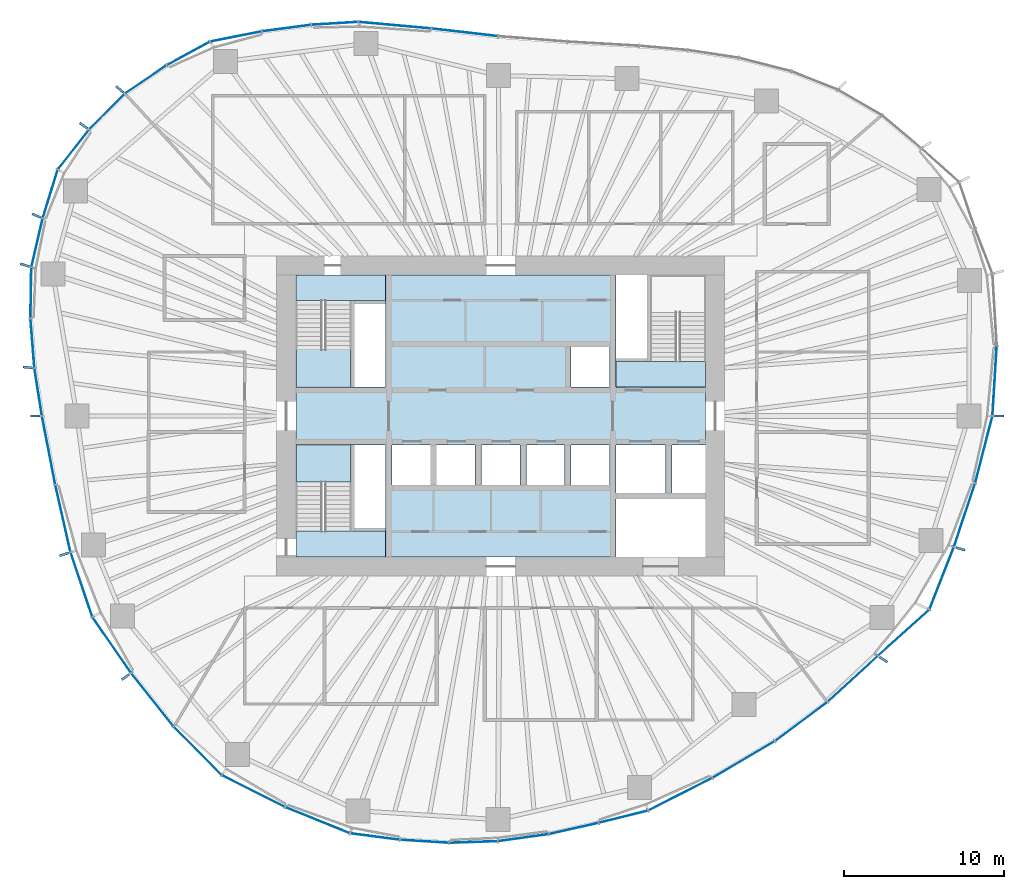
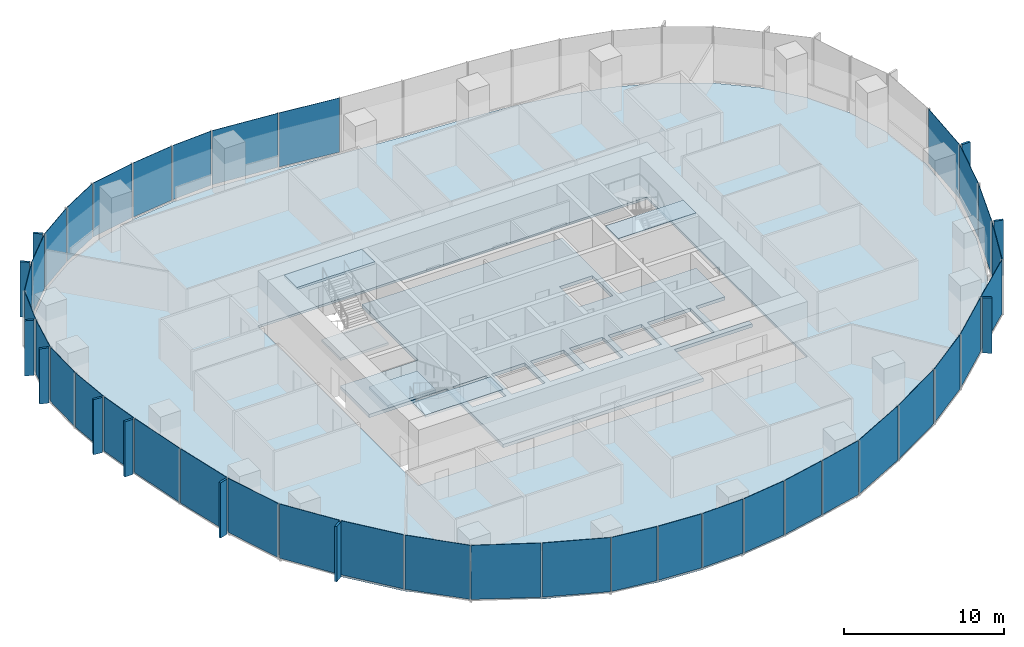
# One storey, part 7 of 18: 48 plates, 7 slabs, 19 elements without a shape of their own.
"""IFC4 building model written with IfcOpenShell, lengths in metres."""

from ifc_helpers import new_model, si_unit, direction, frame, origin, origin_2d, place, context, subcontext, project, spatial, polyline, rectangle, outline, extrude, material, layer, layer_set, type_object, element, aggregate, save


model = new_model("IFC4")

# Units and contexts
model_context = context("Model", 3, precision=1e-05, world=origin(), true_north=direction((0.0, 1.0)))
body_context = subcontext(model_context, "Body", "Model", "MODEL_VIEW")
ifc_project = project(units=[si_unit("LENGTHUNIT", "METRE"), si_unit("AREAUNIT", "SQUARE_METRE"), si_unit("VOLUMEUNIT", "CUBIC_METRE"), si_unit("PLANEANGLEUNIT", "RADIAN"), si_unit("MASSUNIT", "GRAM", prefix="KILO")], contexts=[model_context])

# Site, building, storey
site_placement = place(None, origin())
site = spatial("IfcSite", under=ifc_project, at=site_placement, CompositionType="ELEMENT")
building_placement = place(site_placement, origin())
building = spatial("IfcBuilding", under=site, at=building_placement, Name="Ghaith Harvest Tower", CompositionType="ELEMENT")
storey_placement = place(building_placement, frame((0.0, 0.0, 117.60009765625)))
storey = spatial("IfcBuildingStorey", under=building, at=storey_placement, Name="L24", CompositionType="ELEMENT", Elevation=117.60009765625)

# Curtain wall, plate
ifc_material_1 = material(Name="Black anodised aluminium and fritted glass", Category="aluminium")
curtain_wall_type = type_object("IfcCurtainWallType", Name="CW-L CURTAIN WALL", PredefinedType="NOTDEFINED", material=ifc_material_1)
curtain_wall_1_placement = place(storey_placement, origin())
curtain_wall_1 = element("IfcCurtainWall", 1, at=curtain_wall_1_placement, inside=storey, type_object=curtain_wall_type, Name="Curtain wall CW-L bay 01 L24", PredefinedType="NOTDEFINED")
ifc_material_2 = material(Name="Glass, dark solar-control fritted double glazed unit", Category="glass")
ifc_layer_1 = layer(ifc_material_2, 0.031982421875)
ifc_layer_set_1 = layer_set([ifc_layer_1], Name="CW-L VISION PANEL")
plate_type_1 = type_object("IfcPlateType", Name="CW-L VISION PANEL", PredefinedType="CURTAIN_PANEL", material=ifc_layer_set_1)
plate_1_placement = place(storey_placement, frame((30.86376953125, 2.19482421875, 0.079833984375), z_axis=(0.0, 0.0, 1.0), x_axis=(0.061379619468, 0.99811449359, 0.0)))
plate_1 = element("IfcPlate", 2, at=plate_1_placement, type_object=plate_type_1, Name="CW-L glass unit 1 bay 01 L24", PredefinedType="CURTAIN_PANEL", context=body_context, shape_type="SweptSolid", body=[
    extrude(rectangle(XDim=4.318115234375, YDim=0.031982421875, at=origin_2d()), origin(), (0.0, 0.0, 1.0), 4.1201171875),
])
aggregate(curtain_wall_1, [plate_1])

# Curtain wall, plates
curtain_wall_2_placement = place(storey_placement, origin())
curtain_wall_2 = element("IfcCurtainWall", 3, at=curtain_wall_2_placement, inside=storey, type_object=curtain_wall_type, Name="Curtain wall CW-L bay 06 L24", PredefinedType="NOTDEFINED")
plate_2_placement = place(storey_placement, frame((-2.24267578125, 23.968505859375, 0.079833984375), z_axis=(0.0, 0.0, 1.0), x_axis=(-0.993477024646, 0.114032458099, 0.0)))
plate_2 = element("IfcPlate", 4, at=plate_2_placement, type_object=plate_type_1, Name="CW-L glass unit 1 bay 06 L24", PredefinedType="CURTAIN_PANEL", context=body_context, shape_type="SweptSolid", body=[
    extrude(rectangle(XDim=4.10791015625, YDim=0.031982421875, at=origin_2d()), origin(), (0.0, 0.0, 1.0), 4.1201171875),
])
plate_3_placement = place(storey_placement, frame((-6.607666015625, 24.4140625, 0.079833984375), z_axis=(0.0, 0.0, 1.0), x_axis=(-0.995928776302, 0.090143621701, 0.0)))
plate_3 = element("IfcPlate", 5, at=plate_3_placement, type_object=plate_type_1, Name="CW-L glass unit 2 bay 06 L24", PredefinedType="CURTAIN_PANEL", context=body_context, shape_type="SweptSolid", body=[
    extrude(rectangle(XDim=4.508056640625, YDim=0.031982421875, at=origin_2d()), origin(), (0.0, 0.0, 1.0), 4.1201171875),
])
aggregate(curtain_wall_2, [plate_2, plate_3])

curtain_wall_3_placement = place(storey_placement, origin())
curtain_wall_3 = element("IfcCurtainWall", 6, at=curtain_wall_3_placement, inside=storey, type_object=curtain_wall_type, Name="Curtain wall CW-L bay 07 L24", PredefinedType="NOTDEFINED")
plate_4_placement = place(storey_placement, frame((-10.36669921875, 24.5302734375, 0.079833984375), z_axis=(0.0, 0.0, 1.0), x_axis=(-0.998119199641, -0.061303044853, 0.0)))
plate_4 = element("IfcPlate", 7, at=plate_4_placement, type_object=plate_type_1, Name="CW-L glass unit 1 bay 07 L24", PredefinedType="CURTAIN_PANEL", context=body_context, shape_type="SweptSolid", body=[
    extrude(rectangle(XDim=2.874267578125, YDim=0.031982421875, at=origin_2d()), origin(), (0.0, 0.0, 1.0), 4.1201171875),
])
plate_5_placement = place(storey_placement, frame((-13.382568359375, 24.23486328125, 0.079833984375), z_axis=(0.0, 0.0, 1.0), x_axis=(-0.991285895369, -0.131728029071, 0.0)))
plate_5 = element("IfcPlate", 8, at=plate_5_placement, type_object=plate_type_1, Name="CW-L glass unit 2 bay 07 L24", PredefinedType="CURTAIN_PANEL", context=body_context, shape_type="SweptSolid", body=[
    extrude(rectangle(XDim=3.02978515625, YDim=0.031982421875, at=origin_2d()), origin(), (0.0, 0.0, 1.0), 4.1201171875),
])
plate_6_placement = place(storey_placement, frame((-16.54443359375, 23.7099609375, 0.079833984375), z_axis=(0.0, 0.0, 1.0), x_axis=(-0.981037550101, -0.193817763096, 0.0)))
plate_6 = element("IfcPlate", 9, at=plate_6_placement, type_object=plate_type_1, Name="CW-L glass unit 3 bay 07 L24", PredefinedType="CURTAIN_PANEL", context=body_context, shape_type="SweptSolid", body=[
    extrude(rectangle(XDim=3.22412109375, YDim=0.031982421875, at=origin_2d()), origin(), (0.0, 0.0, 1.0), 4.1201171875),
])
aggregate(curtain_wall_3, [plate_4, plate_5, plate_6])

curtain_wall_4_placement = place(storey_placement, origin())
curtain_wall_4 = element("IfcCurtainWall", 10, at=curtain_wall_4_placement, inside=storey, type_object=curtain_wall_type, Name="Curtain wall CW-L bay 08 L24", PredefinedType="NOTDEFINED")
plate_7_placement = place(storey_placement, frame((-19.520263671875, 22.650634765625, 0.079833984375), z_axis=(0.0, 0.0, 1.0), x_axis=(-0.877940384665, -0.478769966659, 0.0)))
plate_7 = element("IfcPlate", 11, at=plate_7_placement, type_object=plate_type_1, Name="CW-L glass unit 1 bay 08 L24", PredefinedType="CURTAIN_PANEL", context=body_context, shape_type="SweptSolid", body=[
    extrude(rectangle(XDim=3.007080078125, YDim=0.031982421875, at=origin_2d()), origin(), (0.0, 0.0, 1.0), 4.1201171875),
])
plate_8_placement = place(storey_placement, frame((-22.182373046875, 21.025390625, 0.079833984375), z_axis=(0.0, 0.0, 1.0), x_axis=(-0.827674847773, -0.561207935051, 0.0)))
plate_8 = element("IfcPlate", 12, at=plate_8_placement, type_object=plate_type_1, Name="CW-L glass unit 2 bay 08 L24", PredefinedType="CURTAIN_PANEL", context=body_context, shape_type="SweptSolid", body=[
    extrude(rectangle(XDim=3.078369140625, YDim=0.031982421875, at=origin_2d()), origin(), (0.0, 0.0, 1.0), 4.1201171875),
])
plate_9_placement = place(storey_placement, frame((-24.603759765625, 19.01708984375, 0.079833984375), z_axis=(0.0, 0.0, 1.0), x_axis=(-0.704613943896, -0.709590861037, 0.0)))
plate_9 = element("IfcPlate", 13, at=plate_9_placement, type_object=plate_type_1, Name="CW-L glass unit 3 bay 08 L24", PredefinedType="CURTAIN_PANEL", context=body_context, shape_type="SweptSolid", body=[
    extrude(rectangle(XDim=3.0830078125, YDim=0.031982421875, at=origin_2d()), origin(), (0.0, 0.0, 1.0), 4.1201171875),
])
aggregate(curtain_wall_4, [plate_7, plate_8, plate_9])

curtain_wall_5_placement = place(storey_placement, origin())
curtain_wall_5 = element("IfcCurtainWall", 14, at=curtain_wall_5_placement, inside=storey, type_object=curtain_wall_type, Name="Curtain wall CW-L bay 09 L24", PredefinedType="NOTDEFINED")
plate_10_placement = place(storey_placement, frame((-26.69873046875, 16.644775390625, 0.079833984375), z_axis=(0.0, 0.0, 1.0), x_axis=(-0.617140806324, -0.786852734106, 0.0)))
plate_10 = element("IfcPlate", 15, at=plate_10_placement, type_object=plate_type_1, Name="CW-L glass unit 1 bay 09 L24", PredefinedType="CURTAIN_PANEL", context=body_context, shape_type="SweptSolid", body=[
    extrude(rectangle(XDim=3.09765625, YDim=0.031982421875, at=origin_2d()), origin(), (0.0, 0.0, 1.0), 4.1201171875),
])
plate_11_placement = place(storey_placement, frame((-28.14794921875, 13.869140625, 0.079833984375), z_axis=(0.0, 0.0, 1.0), x_axis=(-0.293802674087, -0.955866093498, 0.0)))
plate_11 = element("IfcPlate", 16, at=plate_11_placement, type_object=plate_type_1, Name="CW-L glass unit 2 bay 09 L24", PredefinedType="CURTAIN_PANEL", context=body_context, shape_type="SweptSolid", body=[
    extrude(rectangle(XDim=3.111328125, YDim=0.031982421875, at=origin_2d()), origin(), (0.0, 0.0, 1.0), 4.1201171875),
])
plate_12_placement = place(storey_placement, frame((-28.9716796875, 10.819091796875, 0.079833984375), z_axis=(0.0, 0.0, 1.0), x_axis=(-0.226698962458, -0.973964876379, 0.0)))
plate_12 = element("IfcPlate", 17, at=plate_12_placement, type_object=plate_type_1, Name="CW-L glass unit 3 bay 09 L24", PredefinedType="CURTAIN_PANEL", context=body_context, shape_type="SweptSolid", body=[
    extrude(rectangle(XDim=3.05126953125, YDim=0.031982421875, at=origin_2d()), origin(), (0.0, 0.0, 1.0), 4.1201171875),
])
aggregate(curtain_wall_5, [plate_10, plate_11, plate_12])

curtain_wall_6_placement = place(storey_placement, origin())
curtain_wall_6 = element("IfcCurtainWall", 18, at=curtain_wall_6_placement, inside=storey, type_object=curtain_wall_type, Name="Curtain wall CW-L bay 10 L24", PredefinedType="NOTDEFINED")
plate_13_placement = place(storey_placement, frame((-29.352294921875, 7.695068359375, 0.079833984375), z_axis=(0.0, 0.0, 1.0), x_axis=(-0.016034106433, -0.999871445452, 0.0)))
plate_13 = element("IfcPlate", 19, at=plate_13_placement, type_object=plate_type_1, Name="CW-L glass unit 1 bay 10 L24", PredefinedType="CURTAIN_PANEL", context=body_context, shape_type="SweptSolid", body=[
    extrude(rectangle(XDim=3.118408203125, YDim=0.031982421875, at=origin_2d()), origin(), (0.0, 0.0, 1.0), 4.1201171875),
])
plate_14_placement = place(storey_placement, frame((-29.25439453125, 4.54345703125, 0.079833984375), z_axis=(0.0, 0.0, 1.0), x_axis=(0.079273335663, -0.996852917061, 0.0)))
plate_14 = element("IfcPlate", 20, at=plate_14_placement, type_object=plate_type_1, Name="CW-L glass unit 2 bay 10 L24", PredefinedType="CURTAIN_PANEL", context=body_context, shape_type="SweptSolid", body=[
    extrude(rectangle(XDim=3.035400390625, YDim=0.031982421875, at=origin_2d()), origin(), (0.0, 0.0, 1.0), 4.1201171875),
])
plate_15_placement = place(storey_placement, frame((-28.896240234375, 1.495361328125, 0.079833984375), z_axis=(0.0, 0.0, 1.0), x_axis=(0.155172175389, -0.987887440949, 0.0)))
plate_15 = element("IfcPlate", 21, at=plate_15_placement, type_object=plate_type_1, Name="CW-L glass unit 3 bay 10 L24", PredefinedType="CURTAIN_PANEL", context=body_context, shape_type="SweptSolid", body=[
    extrude(rectangle(XDim=2.947265625, YDim=0.031982421875, at=origin_2d()), origin(), (0.0, 0.0, 1.0), 4.1201171875),
])
aggregate(curtain_wall_6, [plate_13, plate_14, plate_15])

curtain_wall_7_placement = place(storey_placement, origin())
curtain_wall_7 = element("IfcCurtainWall", 22, at=curtain_wall_7_placement, inside=storey, type_object=curtain_wall_type, Name="Curtain wall CW-L bay 11 L24", PredefinedType="NOTDEFINED")
plate_16_placement = place(storey_placement, frame((-28.24462890625, -2.152099609375, 0.079833984375), z_axis=(0.0, 0.0, 1.0), x_axis=(0.190044913274, -0.981775397399, 0.0)))
plate_16 = element("IfcPlate", 23, at=plate_16_placement, type_object=plate_type_1, Name="CW-L glass unit 1 bay 11 L24", PredefinedType="CURTAIN_PANEL", context=body_context, shape_type="SweptSolid", body=[
    extrude(rectangle(XDim=4.303955078125, YDim=0.031982421875, at=origin_2d()), origin(), (0.0, 0.0, 1.0), 4.1201171875),
])
plate_17_placement = place(storey_placement, frame((-27.351806640625, -6.41064453125, 0.079833984375), z_axis=(0.0, 0.0, 1.0), x_axis=(0.220483469245, -0.975390711351, 0.0)))
plate_17 = element("IfcPlate", 24, at=plate_17_placement, type_object=plate_type_1, Name="CW-L glass unit 2 bay 11 L24", PredefinedType="CURTAIN_PANEL", context=body_context, shape_type="SweptSolid", body=[
    extrude(rectangle(XDim=4.239501953125, YDim=0.031982421875, at=origin_2d()), origin(), (0.0, 0.0, 1.0), 4.1201171875),
])
aggregate(curtain_wall_7, [plate_16, plate_17])

curtain_wall_8_placement = place(storey_placement, origin())
curtain_wall_8 = element("IfcCurtainWall", 25, at=curtain_wall_8_placement, inside=storey, type_object=curtain_wall_type, Name="Curtain wall CW-L bay 12 L24", PredefinedType="NOTDEFINED")
plate_18_placement = place(storey_placement, frame((-26.194580078125, -10.537841796875, 0.079833984375), z_axis=(0.0, 0.0, 1.0), x_axis=(0.319477383729, -0.947593901039, 0.0)))
plate_18 = element("IfcPlate", 26, at=plate_18_placement, type_object=plate_type_1, Name="CW-L glass unit 1 bay 12 L24", PredefinedType="CURTAIN_PANEL", context=body_context, shape_type="SweptSolid", body=[
    extrude(rectangle(XDim=4.184326171875, YDim=0.031982421875, at=origin_2d()), origin(), (0.0, 0.0, 1.0), 4.1201171875),
])
plate_19_placement = place(storey_placement, frame((-24.3017578125, -14.312255859375, 0.079833984375), z_axis=(0.0, 0.0, 1.0), x_axis=(0.568347699633, -0.822788485774, 0.0)))
plate_19 = element("IfcPlate", 27, at=plate_19_placement, type_object=plate_type_1, Name="CW-L glass unit 2 bay 12 L24", PredefinedType="CURTAIN_PANEL", context=body_context, shape_type="SweptSolid", body=[
    extrude(rectangle(XDim=4.18359375, YDim=0.031982421875, at=origin_2d()), origin(), (0.0, 0.0, 1.0), 4.1201171875),
])
aggregate(curtain_wall_8, [plate_18, plate_19])

curtain_wall_9_placement = place(storey_placement, origin())
curtain_wall_9 = element("IfcCurtainWall", 28, at=curtain_wall_9_placement, inside=storey, type_object=curtain_wall_type, Name="Curtain wall CW-L bay 13 L24", PredefinedType="NOTDEFINED")
plate_20_placement = place(storey_placement, frame((-21.765625, -17.7314453125, 0.079833984375), z_axis=(0.0, 0.0, 1.0), x_axis=(0.622507360482, -0.782613944513, 0.0)))
plate_20 = element("IfcPlate", 29, at=plate_20_placement, type_object=plate_type_1, Name="CW-L glass unit 1 bay 13 L24", PredefinedType="CURTAIN_PANEL", context=body_context, shape_type="SweptSolid", body=[
    extrude(rectangle(XDim=4.175537109375, YDim=0.031982421875, at=origin_2d()), origin(), (0.0, 0.0, 1.0), 4.1201171875),
])
plate_21_placement = place(storey_placement, frame((-18.935791015625, -20.920166015625, 0.079833984375), z_axis=(0.0, 0.0, 1.0), x_axis=(0.702843151286, -0.711344856375, 0.0)))
plate_21 = element("IfcPlate", 30, at=plate_21_placement, type_object=plate_type_1, Name="CW-L glass unit 2 bay 13 L24", PredefinedType="CURTAIN_PANEL", context=body_context, shape_type="SweptSolid", body=[
    extrude(rectangle(XDim=4.203369140625, YDim=0.031982421875, at=origin_2d()), origin(), (0.0, 0.0, 1.0), 4.1201171875),
])
aggregate(curtain_wall_9, [plate_20, plate_21])

curtain_wall_10_placement = place(storey_placement, origin())
curtain_wall_10 = element("IfcCurtainWall", 31, at=curtain_wall_10_placement, inside=storey, type_object=curtain_wall_type, Name="Curtain wall CW-L bay 14 L24", PredefinedType="NOTDEFINED")
plate_22_placement = place(storey_placement, frame((-15.44677734375, -23.443115234375, 0.079833984375), z_axis=(0.0, 0.0, 1.0), x_axis=(0.893062297869, -0.449933030712, 0.0)))
plate_22 = element("IfcPlate", 32, at=plate_22_placement, type_object=plate_type_1, Name="CW-L glass unit 1 bay 14 L24", PredefinedType="CURTAIN_PANEL", context=body_context, shape_type="SweptSolid", body=[
    extrude(rectangle(XDim=4.362548828125, YDim=0.031982421875, at=origin_2d()), origin(), (0.0, 0.0, 1.0), 4.1201171875),
])
plate_23_placement = place(storey_placement, frame((-11.441162109375, -25.260498046875, 0.079833984375), z_axis=(0.0, 0.0, 1.0), x_axis=(0.927002522537, -0.375055093567, 0.0)))
plate_23 = element("IfcPlate", 33, at=plate_23_placement, type_object=plate_type_1, Name="CW-L glass unit 2 bay 14 L24", PredefinedType="CURTAIN_PANEL", context=body_context, shape_type="SweptSolid", body=[
    extrude(rectangle(XDim=4.282470703125, YDim=0.031982421875, at=origin_2d()), origin(), (0.0, 0.0, 1.0), 4.1201171875),
])
aggregate(curtain_wall_10, [plate_22, plate_23])

curtain_wall_11_placement = place(storey_placement, origin())
curtain_wall_11 = element("IfcCurtainWall", 34, at=curtain_wall_11_placement, inside=storey, type_object=curtain_wall_type, Name="Curtain wall CW-L bay 15 L24", PredefinedType="NOTDEFINED")
plate_24_placement = place(storey_placement, frame((-7.856689453125, -26.281005859375, 0.079833984375), z_axis=(0.0, 0.0, 1.0), x_axis=(0.99172348392, -0.128392100386, 0.0)))
plate_24 = element("IfcPlate", 35, at=plate_24_placement, type_object=plate_type_1, Name="CW-L glass unit 1 bay 15 L24", PredefinedType="CURTAIN_PANEL", context=body_context, shape_type="SweptSolid", body=[
    extrude(rectangle(XDim=3.07080078125, YDim=0.031982421875, at=origin_2d()), origin(), (0.0, 0.0, 1.0), 4.1201171875),
])
plate_25_placement = place(storey_placement, frame((-4.7568359375, -26.57958984375, 0.079833984375), z_axis=(0.0, 0.0, 1.0), x_axis=(0.998038280843, -0.062606628824, 0.0)))
plate_25 = element("IfcPlate", 36, at=plate_25_placement, type_object=plate_type_1, Name="CW-L glass unit 2 bay 15 L24", PredefinedType="CURTAIN_PANEL", context=body_context, shape_type="SweptSolid", body=[
    extrude(rectangle(XDim=3.001220703125, YDim=0.031982421875, at=origin_2d()), origin(), (0.0, 0.0, 1.0), 4.1201171875),
])
plate_26_placement = place(storey_placement, frame((-1.700439453125, -26.624755859375, 0.079833984375), z_axis=(0.0, 0.0, 1.0), x_axis=(0.999431515426, 0.033714180603, 0.0)))
plate_26 = element("IfcPlate", 37, at=plate_26_placement, type_object=plate_type_1, Name="CW-L glass unit 3 bay 15 L24", PredefinedType="CURTAIN_PANEL", context=body_context, shape_type="SweptSolid", body=[
    extrude(rectangle(XDim=2.958984375, YDim=0.031982421875, at=origin_2d()), origin(), (0.0, 0.0, 1.0), 4.1201171875),
])
aggregate(curtain_wall_11, [plate_24, plate_25, plate_26])

curtain_wall_12_placement = place(storey_placement, origin())
curtain_wall_12 = element("IfcCurtainWall", 38, at=curtain_wall_12_placement, inside=storey, type_object=curtain_wall_type, Name="Curtain wall CW-L bay 16 L24", PredefinedType="NOTDEFINED")
plate_27_placement = place(storey_placement, frame((1.4140625, -26.3515625, 0.079833984375), z_axis=(0.0, 0.0, 1.0), x_axis=(0.990448098003, 0.137886058621, 0.0)))
plate_27 = element("IfcPlate", 39, at=plate_27_placement, type_object=plate_type_1, Name="CW-L glass unit 1 bay 16 L24", PredefinedType="CURTAIN_PANEL", context=body_context, shape_type="SweptSolid", body=[
    extrude(rectangle(XDim=3.142578125, YDim=0.031982421875, at=origin_2d()), origin(), (0.0, 0.0, 1.0), 4.1201171875),
])
plate_28_placement = place(storey_placement, frame((4.565185546875, -25.77734375, 0.079833984375), z_axis=(0.0, 0.0, 1.0), x_axis=(0.975341754172, 0.220699937852, 0.0)))
plate_28 = element("IfcPlate", 40, at=plate_28_placement, type_object=plate_type_1, Name="CW-L glass unit 2 bay 16 L24", PredefinedType="CURTAIN_PANEL", context=body_context, shape_type="SweptSolid", body=[
    extrude(rectangle(XDim=3.10888671875, YDim=0.031982421875, at=origin_2d()), origin(), (0.0, 0.0, 1.0), 4.1201171875),
])
plate_29_placement = place(storey_placement, frame((7.66845703125, -25.0400390625, 0.079833984375), z_axis=(0.0, 0.0, 1.0), x_axis=(0.970384283801, 0.241566433413, 0.0)))
plate_29 = element("IfcPlate", 41, at=plate_29_placement, type_object=plate_type_1, Name="CW-L glass unit 3 bay 16 L24", PredefinedType="CURTAIN_PANEL", context=body_context, shape_type="SweptSolid", body=[
    extrude(rectangle(XDim=3.111083984375, YDim=0.031982421875, at=origin_2d()), origin(), (0.0, 0.0, 1.0), 4.1201171875),
])
aggregate(curtain_wall_12, [plate_27, plate_28, plate_29])

curtain_wall_13_placement = place(storey_placement, origin())
curtain_wall_13 = element("IfcCurtainWall", 42, at=curtain_wall_13_placement, inside=storey, type_object=curtain_wall_type, Name="Curtain wall CW-L bay 17 L24", PredefinedType="NOTDEFINED")
plate_30_placement = place(storey_placement, frame((11.220703125, -23.63427734375, 0.079833984375), z_axis=(0.0, 0.0, 1.0), x_axis=(0.891126766056, 0.453754434489, 0.0)))
plate_30 = element("IfcPlate", 43, at=plate_30_placement, type_object=plate_type_1, Name="CW-L glass unit 1 bay 17 L24", PredefinedType="CURTAIN_PANEL", context=body_context, shape_type="SweptSolid", body=[
    extrude(rectangle(XDim=4.417236328125, YDim=0.031982421875, at=origin_2d()), origin(), (0.0, 0.0, 1.0), 4.1201171875),
])
plate_31_placement = place(storey_placement, frame((15.17822265625, -21.46484375, 0.079833984375), z_axis=(0.0, 0.0, 1.0), x_axis=(0.861979497965, 0.506943137924, 0.0)))
plate_31 = element("IfcPlate", 44, at=plate_31_placement, type_object=plate_type_1, Name="CW-L glass unit 2 bay 17 L24", PredefinedType="CURTAIN_PANEL", context=body_context, shape_type="SweptSolid", body=[
    extrude(rectangle(XDim=4.453125, YDim=0.031982421875, at=origin_2d()), origin(), (0.0, 0.0, 1.0), 4.1201171875),
])
aggregate(curtain_wall_13, [plate_30, plate_31])

curtain_wall_14_placement = place(storey_placement, origin())
curtain_wall_14 = element("IfcCurtainWall", 45, at=curtain_wall_14_placement, inside=storey, type_object=curtain_wall_type, Name="Curtain wall CW-L bay 18 L24", PredefinedType="NOTDEFINED")
plate_32_placement = place(storey_placement, frame((18.78076171875, -19.08984375, 0.079833984375), z_axis=(0.0, 0.0, 1.0), x_axis=(0.802462370117, 0.596702727115, 0.0)))
plate_32 = element("IfcPlate", 46, at=plate_32_placement, type_object=plate_type_1, Name="CW-L glass unit 1 bay 18 L24", PredefinedType="CURTAIN_PANEL", context=body_context, shape_type="SweptSolid", body=[
    extrude(rectangle(XDim=4.029541015625, YDim=0.031982421875, at=origin_2d()), origin(), (0.0, 0.0, 1.0), 4.1201171875),
])
plate_33_placement = place(storey_placement, frame((21.9951171875, -16.428955078125, 0.079833984375), z_axis=(0.0, 0.0, 1.0), x_axis=(0.737201663563, 0.675672781189, 0.0)))
plate_33 = element("IfcPlate", 47, at=plate_33_placement, type_object=plate_type_1, Name="CW-L glass unit 2 bay 18 L24", PredefinedType="CURTAIN_PANEL", context=body_context, shape_type="SweptSolid", body=[
    extrude(rectangle(XDim=4.1669921875, YDim=0.031982421875, at=origin_2d()), origin(), (0.0, 0.0, 1.0), 4.1201171875),
])
aggregate(curtain_wall_14, [plate_32, plate_33])

curtain_wall_15_placement = place(storey_placement, origin())
curtain_wall_15 = element("IfcCurtainWall", 48, at=curtain_wall_15_placement, inside=storey, type_object=curtain_wall_type, Name="Curtain wall CW-L bay 19 L24", PredefinedType="NOTDEFINED")
plate_34_placement = place(storey_placement, frame((25.17333984375, -13.54345703125, 0.079833984375), z_axis=(0.0, 0.0, 1.0), x_axis=(0.743493028761, 0.668743684968, 0.0)))
plate_34 = element("IfcPlate", 49, at=plate_34_placement, type_object=plate_type_1, Name="CW-L glass unit 1 bay 19 L24", PredefinedType="CURTAIN_PANEL", context=body_context, shape_type="SweptSolid", body=[
    extrude(rectangle(XDim=4.2587890625, YDim=0.031982421875, at=origin_2d()), origin(), (0.0, 0.0, 1.0), 4.1201171875),
])
plate_35_placement = place(storey_placement, frame((27.552978515625, -10.138916015625, 0.079833984375), z_axis=(0.0, 0.0, 1.0), x_axis=(0.365226458984, 0.930918704108, 0.0)))
plate_35 = element("IfcPlate", 50, at=plate_35_placement, type_object=plate_type_1, Name="CW-L glass unit 2 bay 19 L24", PredefinedType="CURTAIN_PANEL", context=body_context, shape_type="SweptSolid", body=[
    extrude(rectangle(XDim=4.11767578125, YDim=0.031982421875, at=origin_2d()), origin(), (0.0, 0.0, 1.0), 4.1201171875),
])
aggregate(curtain_wall_15, [plate_34, plate_35])

curtain_wall_16_placement = place(storey_placement, origin())
curtain_wall_16 = element("IfcCurtainWall", 51, at=curtain_wall_16_placement, inside=storey, type_object=curtain_wall_type, Name="Curtain wall CW-L bay 20 L24", PredefinedType="NOTDEFINED")
plate_36_placement = place(storey_placement, frame((28.982666015625, -6.191650390625, 0.079833984375), z_axis=(0.0, 0.0, 1.0), x_axis=(0.315708038084, 0.948856382541, 0.0)))
plate_36 = element("IfcPlate", 52, at=plate_36_placement, type_object=plate_type_1, Name="CW-L glass unit 1 bay 20 L24", PredefinedType="CURTAIN_PANEL", context=body_context, shape_type="SweptSolid", body=[
    extrude(rectangle(XDim=4.12158203125, YDim=0.031982421875, at=origin_2d()), origin(), (0.0, 0.0, 1.0), 4.1201171875),
])
plate_37_placement = place(storey_placement, frame((30.187255859375, -2.09912109375, 0.079833984375), z_axis=(0.0, 0.0, 1.0), x_axis=(0.24974411022, 0.968311870944, 0.0)))
plate_37 = element("IfcPlate", 53, at=plate_37_placement, type_object=plate_type_1, Name="CW-L glass unit 2 bay 20 L24", PredefinedType="CURTAIN_PANEL", context=body_context, shape_type="SweptSolid", body=[
    extrude(rectangle(XDim=4.255615234375, YDim=0.031982421875, at=origin_2d()), origin(), (0.0, 0.0, 1.0), 4.1201171875),
])
aggregate(curtain_wall_16, [plate_36, plate_37])

# Slabs
ifc_material_3 = material(Name="Concrete C40/50", Category="concrete")
ifc_layer_2 = layer(ifc_material_3, 0.169921875)
ifc_layer_set_2 = layer_set([ifc_layer_2], Name="FLOOR SLAB 170")
slab_type_1 = type_object("IfcSlabType", Name="FLOOR SLAB 170", PredefinedType="FLOOR", material=ifc_layer_set_2)
slab_1_placement = place(storey_placement, frame((0.0, 0.0, -0.170166015625)))
element("IfcSlab", 54, at=slab_1_placement, inside=storey, type_object=slab_type_1, Name="Floor slab L24", PredefinedType="FLOOR", context=body_context, shape_type="SweptSolid", body=[
    extrude(outline(polyline([(30.458740234375, 0.0), (30.8798828125, 4.373046875), (30.439208984375, 8.797607421875), (29.52294921875, 11.671875), (28.0888671875, 14.32568359375), (26.179443359375, 16.660888671875), (23.7275390625, 18.718017578125), (20.97998046875, 20.3056640625), (18.0849609375, 21.4462890625), (14.79833984375, 22.27978515625), (11.617919921875, 22.757080078125), (8.604736328125, 23.017333984375), (4.125732421875, 23.272705078125), (-0.16162109375, 23.609619140625), (-4.302001953125, 24.089111328125), (-8.814208984375, 24.404541015625), (-11.788818359375, 24.331787109375), (-14.860595703125, 23.927978515625), (-17.938232421875, 23.097412109375), (-20.79248046875, 21.82470703125), (-23.398193359375, 20.06103515625), (-25.61962890625, 17.826416015625), (-27.33837890625, 15.204833984375), (-28.506591796875, 12.29638671875), (-29.12646484375, 9.230712890625), (-29.260498046875, 6.07177734375), (-29.01171875, 2.978271484375), (-28.541259765625, 0.0), (-27.70947265625, -4.285888671875), (-26.580078125, -8.423583984375), (-25.046875, -12.32861328125), (-22.99169921875, -15.997802734375), (-20.35400390625, -19.31396484375), (-17.1728515625, -22.11181640625), (-13.4052734375, -24.33740234375), (-9.317138671875, -25.79638671875), (-6.2666015625, -26.366455078125), (-3.204833984375, -26.556884765625), (-0.180908203125, -26.423583984375), (2.99609375, -26.010009765625), (6.09228515625, -25.308837890625), (9.09423828125, -24.326904296875), (13.163818359375, -22.510498046875), (17.054443359375, -20.22412109375), (20.33935546875, -17.784912109375), (23.400390625, -14.89208984375), (25.94775390625, -11.714111328125), (28.03125, -8.1015625), (29.527099609375, -4.181396484375), (30.458740234375, 0.0)]), holes=[polyline([(-14.0, -10.0), (14.0, -10.0), (14.0, 10.0), (-14.0, 10.0), (-14.0, -10.0)])]), origin(), (0.0, 0.0, 1.0), 0.170166015625),
])
ifc_material_4 = material(Name="Concrete C40/50", Category="concrete")
ifc_layer_3 = layer(ifc_material_4, 0.25)
ifc_layer_set_3 = layer_set([ifc_layer_3], Name="FLOOR SLAB 250")
slab_type_2 = type_object("IfcSlabType", Name="FLOOR SLAB 250", PredefinedType="FLOOR", material=ifc_layer_set_3)
slab_2_placement = place(storey_placement, frame((0.0, 0.0, -0.25)))
element("IfcSlab", 55, at=slab_2_placement, inside=storey, type_object=slab_type_2, Name="Core slab L24", PredefinedType="FLOOR", context=body_context, shape_type="SweptSolid", body=[
    extrude(outline(polyline([(-12.800048828125, 1.800048828125), (-7.199951171875, 1.800048828125), (-7.199951171875, 8.800048828125), (7.199951171875, 8.800048828125), (7.199951171875, 1.800048828125), (12.800048828125, 1.800048828125), (12.800048828125, -1.800048828125), (10.699951171875, -1.800048828125), (10.699951171875, -4.800048828125), (12.800048828125, -4.800048828125), (12.800048828125, -5.199951171875), (7.199951171875, -5.199951171875), (7.199951171875, -8.800048828125), (-7.199951171875, -8.800048828125), (-7.199951171875, -1.800048828125), (-12.800048828125, -1.800048828125), (-12.800048828125, 1.800048828125)]), holes=[polyline([(-4.39990234375, -4.300048828125), (-4.39990234375, -1.800048828125), (-6.800048828125, -1.800048828125), (-6.800048828125, -4.300048828125), (-4.39990234375, -4.300048828125)]), polyline([(-1.60009765625, -4.300048828125), (-1.60009765625, -1.800048828125), (-4.0, -1.800048828125), (-4.0, -4.300048828125), (-1.60009765625, -4.300048828125)]), polyline([(1.199951171875, -1.800048828125), (-1.199951171875, -1.800048828125), (-1.199951171875, -4.300048828125), (1.199951171875, -4.300048828125), (1.199951171875, -1.800048828125)]), polyline([(4.0, -4.300048828125), (4.0, -1.800048828125), (1.60009765625, -1.800048828125), (1.60009765625, -4.300048828125), (4.0, -4.300048828125)]), polyline([(10.300048828125, -4.800048828125), (10.300048828125, -1.800048828125), (7.199951171875, -1.800048828125), (7.199951171875, -4.800048828125), (10.300048828125, -4.800048828125)]), polyline([(6.800048828125, -1.800048828125), (4.39990234375, -1.800048828125), (4.39990234375, -4.300048828125), (6.800048828125, -4.300048828125), (6.800048828125, -1.800048828125)]), polyline([(6.800048828125, 1.800048828125), (6.800048828125, 4.300048828125), (4.39990234375, 4.300048828125), (4.39990234375, 1.800048828125), (6.800048828125, 1.800048828125)])]), origin(), (0.0, 0.0, 1.0), 0.25),
])

# Stair, slabs
ifc_material_5 = material(Name="Concrete C40/50, precast", Category="concrete")
stair_type = type_object("IfcStairType", Name="CORE STAIR 24R", PredefinedType="HALF_TURN_STAIR", material=ifc_material_5)
stair_1_placement = place(storey_placement, origin())
stair_1 = element("IfcStair", 56, at=stair_1_placement, inside=storey, type_object=stair_type, Name="Stair ST1 L24", PredefinedType="HALF_TURN_STAIR")
ifc_material_6 = material(Name="Concrete C40/50, precast", Category="concrete")
ifc_layer_4 = layer(ifc_material_6, 0.179931640625)
ifc_layer_set_4 = layer_set([ifc_layer_4], Name="STAIR LANDING 180")
slab_type_3 = type_object("IfcSlabType", Name="STAIR LANDING 180", PredefinedType="LANDING", material=ifc_layer_set_4)
slab_3_placement = place(storey_placement, frame((0.0, 0.0, 1.919921875)))
slab_3 = element("IfcSlab", 57, at=slab_3_placement, type_object=slab_type_3, Name="ST1 landing 1", PredefinedType="LANDING", context=body_context, shape_type="SweptSolid", body=[
    extrude(outline(polyline([(-12.800048828125, 4.139892578125), (-12.800048828125, 1.77490234375), (-9.35009765625, 1.77490234375), (-9.35009765625, 4.139892578125), (-12.800048828125, 4.139892578125)])), origin(), (0.0, 0.0, 1.0), 0.179931640625),
])
slab_4_placement = place(storey_placement, frame((0.0, 0.0, 4.02001953125)))
slab_4 = element("IfcSlab", 58, at=slab_4_placement, type_object=slab_type_3, Name="ST1 landing 2", PredefinedType="LANDING", context=body_context, shape_type="SweptSolid", body=[
    extrude(outline(polyline([(-12.800048828125, 8.800048828125), (-12.800048828125, 7.199951171875), (-7.199951171875, 7.199951171875), (-7.199951171875, 8.800048828125), (-12.800048828125, 8.800048828125)])), origin(), (0.0, 0.0, 1.0), 0.179931640625),
])
aggregate(stair_1, [slab_3, slab_4])

stair_2_placement = place(storey_placement, origin())
stair_2 = element("IfcStair", 59, at=stair_2_placement, inside=storey, type_object=stair_type, Name="Stair ST3 L24", PredefinedType="HALF_TURN_STAIR")
slab_5_placement = place(storey_placement, frame((0.0, 0.0, 1.919921875)))
slab_5 = element("IfcSlab", 60, at=slab_5_placement, type_object=slab_type_3, Name="ST3 landing 1", PredefinedType="LANDING", context=body_context, shape_type="SweptSolid", body=[
    extrude(outline(polyline([(-12.800048828125, -4.139892578125), (-12.800048828125, -1.77490234375), (-9.35009765625, -1.77490234375), (-9.35009765625, -4.139892578125), (-12.800048828125, -4.139892578125)])), origin(), (0.0, 0.0, 1.0), 0.179931640625),
])
slab_6_placement = place(storey_placement, frame((0.0, 0.0, 4.02001953125)))
slab_6 = element("IfcSlab", 61, at=slab_6_placement, type_object=slab_type_3, Name="ST3 landing 2", PredefinedType="LANDING", context=body_context, shape_type="SweptSolid", body=[
    extrude(outline(polyline([(-12.800048828125, -8.800048828125), (-12.800048828125, -7.199951171875), (-7.199951171875, -7.199951171875), (-7.199951171875, -8.800048828125), (-12.800048828125, -8.800048828125)])), origin(), (0.0, 0.0, 1.0), 0.179931640625),
])
aggregate(stair_2, [slab_5, slab_6])

# Stair, slab
stair_3_placement = place(storey_placement, origin())
stair_3 = element("IfcStair", 62, at=stair_3_placement, inside=storey, type_object=stair_type, Name="Stair ST2 L24", PredefinedType="HALF_TURN_STAIR")
slab_7_placement = place(storey_placement, frame((0.0, 0.0, 4.02001953125)))
slab_7 = element("IfcSlab", 63, at=slab_7_placement, type_object=slab_type_3, Name="ST2 landing 2", PredefinedType="LANDING", context=body_context, shape_type="SweptSolid", body=[
    extrude(outline(polyline([(12.800048828125, 1.800048828125), (12.800048828125, 3.39990234375), (7.199951171875, 3.39990234375), (7.199951171875, 1.800048828125), (12.800048828125, 1.800048828125)])), origin(), (0.0, 0.0, 1.0), 0.179931640625),
])
aggregate(stair_3, [slab_7])

# Plates
ifc_material_7 = material(Name="Glassfibre-reinforced concrete", Category="concrete")
ifc_layer_5 = layer(ifc_material_7, 0.14990234375)
ifc_layer_set_5 = layer_set([ifc_layer_5], Name="SUN-BREAKER FIN 600x150")
plate_type_2 = type_object("IfcPlateType", Name="SUN-BREAKER FIN 600x150", PredefinedType="USERDEFINED", material=ifc_layer_set_5)
for number, where, z_axis, x_axis, name in (
    (64, (31.148681640625, 0.0, 0.0), (0.0, 0.0, 1.0), (1.0, 0.0, 0.0), "Sun-breaker fin CW-L 1 bay 01 L24"),
    (65, (-23.808349609375, 20.41259765625, 0.0), (0.0, 0.0, 1.0), (-0.759169742643, 0.650892696115, 0.0), "Sun-breaker fin CW-L 3 bay 08 L24"),
    (66, (-26.06298828125, 18.134765625, 0.0), (0.0, 0.0, 1.0), (-0.820845486523, 0.571150319316, 0.0), "Sun-breaker fin CW-L 1 bay 09 L24"),
    (67, (-29.00244140625, 12.51025390625, 0.0), (0.0, 0.0, 1.0), (-0.918217993215, 0.396075392995, 0.0), "Sun-breaker fin CW-L 3 bay 09 L24"),
    (68, (-29.72705078125, 9.4208984375, 0.0), (0.0, 0.0, 1.0), (-0.953273219358, 0.302109531884, 0.0), "Sun-breaker fin CW-L 1 bay 10 L24"),
    (69, (-29.548828125, 3.033447265625, 0.0), (0.0, 0.0, 1.0), (-0.994771752973, 0.102123256344, 0.0), "Sun-breaker fin CW-L 3 bay 10 L24"),
    (70, (-29.081298828125, 0.0, 0.0), (0.0, 0.0, 1.0), (-1.0, -4.19e-10, 0.0), "Sun-breaker fin CW-L 1 bay 11 L24"),
    (71, (-27.276123046875, -8.644287109375, 0.0), (0.0, 0.0, 1.0), (-0.953273219416, -0.302109531701, 0.0), "Sun-breaker fin CW-L 1 bay 12 L24"),
    (72, (-23.434814453125, -16.30615234375, 0.0), (0.0, 0.0, 1.0), (-0.820845486622, -0.571150319173, 0.0), "Sun-breaker fin CW-L 1 bay 13 L24"),
    (73, (23.914794921875, -15.2197265625, 0.0), (0.0, 0.0, 1.0), (0.84364397137, -0.536903016913, 0.0), "Sun-breaker fin CW-L 1 bay 19 L24"),
    (74, (28.722900390625, -8.301513671875, 0.0), (0.0, 0.0, 1.0), (0.960680349932, -0.277656739976, 0.0), "Sun-breaker fin CW-L 1 bay 20 L24"),
):
    element("IfcPlate", number, at=place(storey_placement, frame(where, z_axis=z_axis, x_axis=x_axis)), inside=storey, type_object=plate_type_2, Name=name, ObjectType="SUN-BREAKER FIN", PredefinedType="USERDEFINED", context=body_context, shape_type="SweptSolid", body=[
        extrude(rectangle(XDim=0.60009765625, YDim=0.14990234375, at=origin_2d()), origin(), (0.0, 0.0, 1.0), 4.199951171875),
    ])

save(model, "model.ifc")
